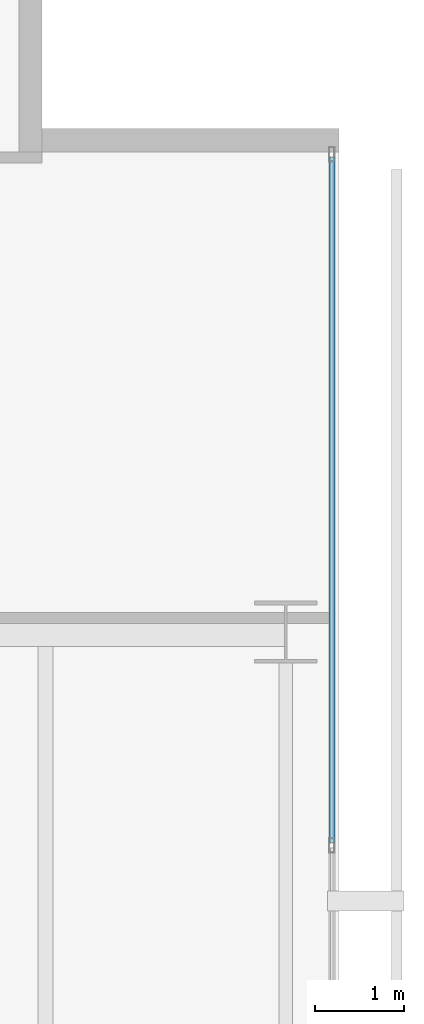
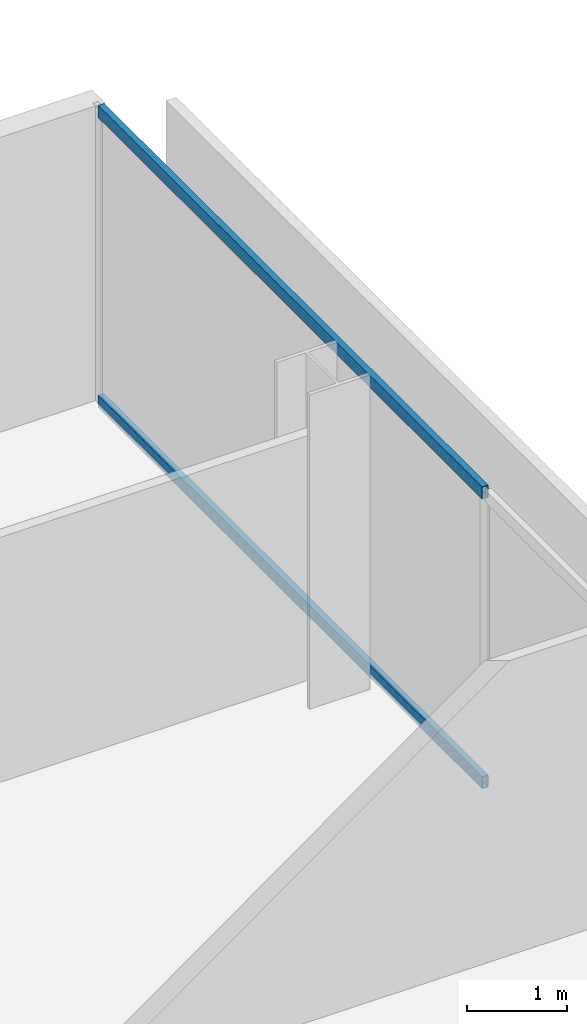
# One storey, part 29 of 40: 2 members, 1 element without a shape of its own.
"""IFC4 building model written with IfcOpenShell, lengths in metres."""

from ifc_helpers import new_model, si_unit, direction, frame, origin, origin_2d, place, context, subcontext, project, spatial, hollow_rectangle, extrude, material, layer, layer_set, material_profile, profile_set, type_object, element, aggregate, save


model = new_model("IFC4")

# Units and contexts
model_context = context("Model", 3, precision=1e-05, world=origin(), true_north=direction((0.0, 1.0)))
body_context = subcontext(model_context, "Body", "Model", "MODEL_VIEW")
ifc_project = project(units=[si_unit("LENGTHUNIT", "METRE"), si_unit("AREAUNIT", "SQUARE_METRE"), si_unit("VOLUMEUNIT", "CUBIC_METRE"), si_unit("PLANEANGLEUNIT", "RADIAN"), si_unit("MASSUNIT", "GRAM", prefix="KILO")], contexts=[model_context])

# Site, building, storey
site_placement = place(None, origin())
site = spatial("IfcSite", under=ifc_project, at=site_placement, CompositionType="ELEMENT")
building_placement = place(site_placement, origin())
building = spatial("IfcBuilding", under=site, at=building_placement, Name="Maruvema Waterfront Hotel and Observation Tower", CompositionType="ELEMENT")
storey_placement = place(building_placement, frame((0.0, 0.0, 77.0)))
storey = spatial("IfcBuildingStorey", under=building, at=storey_placement, Name="L18", CompositionType="ELEMENT", Elevation=77.0)

# Curtain wall, members
ifc_material_1 = material(Name="Anodised bronze aluminium and solar-control low-E IGU", Category="aluminium")
ifc_layer = layer(ifc_material_1, 0.159912109375, Name="Zone 1 Bronze Inner Thermal Curtain Wall System CW-02")
ifc_layer_set = layer_set([ifc_layer], Name="Anodised bronze aluminium and solar-control low-E IGU")
curtain_wall_type = type_object("IfcCurtainWallType", Name="Zone 1 Bronze Inner Thermal Curtain Wall System CW-02", PredefinedType="USERDEFINED", material=ifc_layer_set)
curtain_wall_placement = place(storey_placement, origin())
curtain_wall = element("IfcCurtainWall", 1, at=curtain_wall_placement, inside=storey, type_object=curtain_wall_type, Name="L18 Curtain Wall CW-L18-E", ObjectType="UNITISED CURTAIN WALL", PredefinedType="USERDEFINED")
ifc_material_2 = material(Name="Anodised architectural bronze aluminium", Category="aluminium")
ifc_material_profile = material_profile(ifc_material_2, hollow_rectangle(XDim=0.070068359375, YDim=0.14990234375, WallThickness=0.00390625, at=origin_2d()), Name="ALU-T70x150")
ifc_profile_set = profile_set([ifc_material_profile], Name="Anodised architectural bronze aluminium")
member_type = type_object("IfcMemberType", Name="Curtain Wall Horizontal Transom ALU-T70x150", PredefinedType="USERDEFINED", material=ifc_profile_set)
member_1_placement = place(storey_placement, frame((64.719970703125, 42.6298828125, 0.030029296875), z_axis=(0.0, 1.0, 0.0), x_axis=(-1.0, 0.0, 0.0)))
member_1 = element("IfcMember", 2, at=member_1_placement, type_object=member_type, Name="CW-02 transom 6.1", ObjectType="TRANSOM", PredefinedType="USERDEFINED", context=body_context, shape_type="SweptSolid", body=[
    extrude(hollow_rectangle(XDim=0.070068359375, YDim=0.14990234375, WallThickness=0.00390625, at=origin_2d()), origin(), (0.0, 0.0, 1.0), 7.710205078125),
])
member_2_placement = place(storey_placement, frame((64.719970703125, 42.6298828125, 3.580078125), z_axis=(0.0, 1.0, 0.0), x_axis=(-1.0, 0.0, 0.0)))
member_2 = element("IfcMember", 3, at=member_2_placement, type_object=member_type, Name="CW-02 transom 6.2", ObjectType="TRANSOM", PredefinedType="USERDEFINED", context=body_context, shape_type="SweptSolid", body=[
    extrude(hollow_rectangle(XDim=0.070068359375, YDim=0.14990234375, WallThickness=0.00390625, at=origin_2d()), origin(), (0.0, 0.0, 1.0), 7.710205078125),
])
aggregate(curtain_wall, [member_1, member_2])

save(model, "model.ifc")
